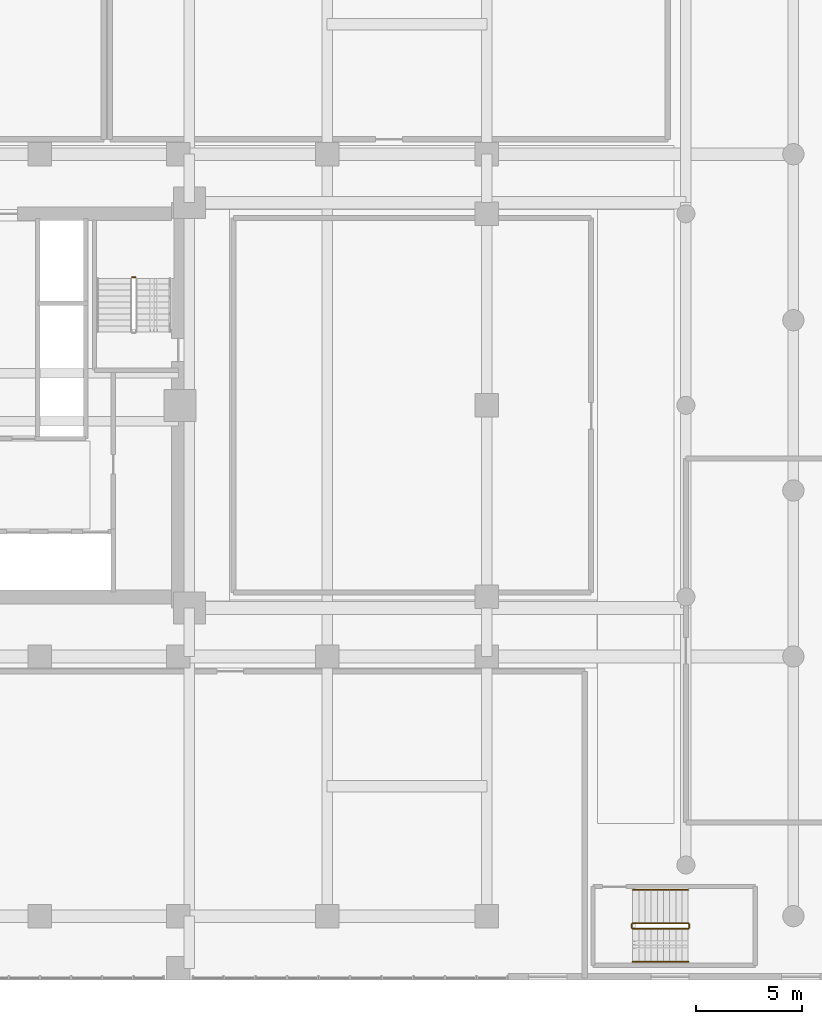
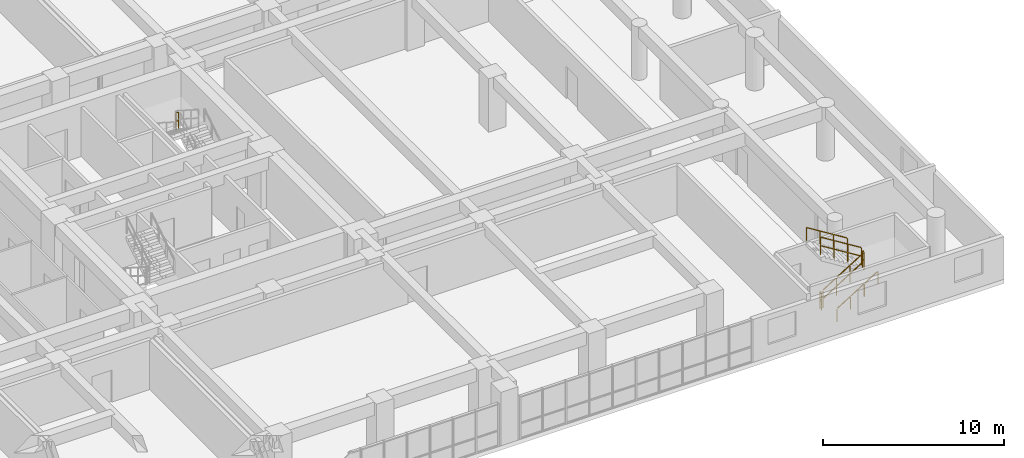
# One storey, part 29 of 30: 7 railings.
"""IFC4 building model written with IfcOpenShell, lengths in metres."""

from ifc_helpers import new_model, si_unit, direction, frame, origin, origin_2d, place, context, subcontext, project, spatial, rectangle, extrude, material, type_object, element, save


model = new_model("IFC4")

# Units and contexts
model_context = context("Model", 3, precision=1e-05, world=origin(), true_north=direction((0.0, 1.0)))
body_context = subcontext(model_context, "Body", "Model", "MODEL_VIEW")
ifc_project = project(units=[si_unit("LENGTHUNIT", "METRE"), si_unit("AREAUNIT", "SQUARE_METRE"), si_unit("VOLUMEUNIT", "CUBIC_METRE"), si_unit("PLANEANGLEUNIT", "RADIAN"), si_unit("MASSUNIT", "GRAM", prefix="KILO")], contexts=[model_context])

# Site, building, storey
site_placement = place(None, origin())
site = spatial("IfcSite", under=ifc_project, at=site_placement, CompositionType="ELEMENT")
building_placement = place(site_placement, origin())
building = spatial("IfcBuilding", under=site, at=building_placement, Name="Saelheon Loggia Tower", CompositionType="ELEMENT")
storey_placement = place(building_placement, frame((0.0, 0.0, 7.800048828125)))
storey = spatial("IfcBuildingStorey", under=building, at=storey_placement, Name="L02", CompositionType="ELEMENT", Elevation=7.800048828125)

# Railings
ifc_material_1 = material(Name="Galvanised Steel S275 Stairwell Guardrail", Category="steel")
railing_type_1 = type_object("IfcRailingType", Name="Guard_StairWell_RL_STG", PredefinedType="GUARDRAIL", material=ifc_material_1)
railing_1_placement = place(storey_placement, frame((42.489990234375, 33.02001953125, 1.800048828125)))
element("IfcRailing", 1, at=railing_1_placement, inside=storey, type_object=railing_type_1, Name="L02 ST2 stair guard 2", PredefinedType="GUARDRAIL", context=body_context, shape_type="SweptSolid", body=[
    extrude(rectangle(XDim=0.048095703125, YDim=0.048095703125, at=origin_2d()), frame((-0.033203125, 0.0, 1.17578125), z_axis=(-1.0, 0.0, 0.0), x_axis=(0.0, -1.0, 0.0)), (0.0, 0.0, 1.0), 0.093505859375),
    extrude(rectangle(XDim=0.048095703125, YDim=0.048095703125, at=origin_2d()), frame((-0.033203125, 0.0, 0.60009765625), z_axis=(-1.0, 0.0, 0.0), x_axis=(0.0, -1.0, 0.0)), (0.0, 0.0, 1.0), 0.093505859375),
    extrude(rectangle(XDim=0.0419921875, YDim=0.0419921875, at=origin_2d()), origin(), (0.0, 0.0, 1.0), 1.14794921875),
    extrude(rectangle(XDim=0.0419921875, YDim=0.0419921875, at=origin_2d()), frame((-0.159912109375, 0.0, 0.0)), (0.0, 0.0, 1.0), 1.14794921875),
])
railing_2_placement = place(storey_placement, frame((65.85009765625, 2.409912109375, 0.179931640625)))
element("IfcRailing", 2, at=railing_2_placement, inside=storey, type_object=railing_type_1, Name="L02 ST4 stair guard 1", PredefinedType="GUARDRAIL", context=body_context, shape_type="SweptSolid", body=[
    extrude(rectangle(XDim=0.048095703125, YDim=0.048095703125, at=origin_2d()), frame((0.0283203125, 0.0, 1.193359375), z_axis=(0.849610693518, 0.0, 0.52741034258), x_axis=(0.0, 1.0, 0.0)), (0.0, 0.0, 1.0), 0.95751953125),
    extrude(rectangle(XDim=0.048095703125, YDim=0.048095703125, at=origin_2d()), frame((0.0283203125, 0.0, 0.617431640625), z_axis=(0.849610693518, 0.0, 0.52741034258), x_axis=(0.0, 1.0, 0.0)), (0.0, 0.0, 1.0), 0.95751953125),
    extrude(rectangle(XDim=0.048095703125, YDim=0.048095703125, at=origin_2d()), frame((0.898193359375, 0.0, 1.7333984375), z_axis=(0.849610693518, 0.0, 0.52741034258), x_axis=(0.0, 1.0, 0.0)), (0.0, 0.0, 1.0), 0.95751953125),
    extrude(rectangle(XDim=0.048095703125, YDim=0.048095703125, at=origin_2d()), frame((0.898193359375, 0.0, 1.157470703125), z_axis=(0.849610693518, 0.0, 0.52741034258), x_axis=(0.0, 1.0, 0.0)), (0.0, 0.0, 1.0), 0.95751953125),
    extrude(rectangle(XDim=0.048095703125, YDim=0.048095703125, at=origin_2d()), frame((1.76806640625, 0.0, 2.2734375), z_axis=(0.849610693518, 0.0, 0.52741034258), x_axis=(0.0, 1.0, 0.0)), (0.0, 0.0, 1.0), 0.95751953125),
    extrude(rectangle(XDim=0.048095703125, YDim=0.048095703125, at=origin_2d()), frame((1.76806640625, 0.0, 1.697509765625), z_axis=(0.849610693518, 0.0, 0.52741034258), x_axis=(0.0, 1.0, 0.0)), (0.0, 0.0, 1.0), 0.95751953125),
    extrude(rectangle(XDim=0.0419921875, YDim=0.0419921875, at=origin_2d()), origin(), (0.0, 0.0, 1.0), 1.14794921875),
    extrude(rectangle(XDim=0.0419921875, YDim=0.0419921875, at=origin_2d()), frame((0.869873046875, 0.0, 0.5400390625)), (0.0, 0.0, 1.0), 1.14794921875),
    extrude(rectangle(XDim=0.0419921875, YDim=0.0419921875, at=origin_2d()), frame((1.739990234375, 0.0, 1.080078125)), (0.0, 0.0, 1.0), 1.14794921875),
    extrude(rectangle(XDim=0.0419921875, YDim=0.0419921875, at=origin_2d()), frame((2.60986328125, 0.0, 1.6201171875)), (0.0, 0.0, 1.0), 1.14794921875),
])
railing_3_placement = place(storey_placement, frame((68.510009765625, 2.4599609375, 1.800048828125)))
element("IfcRailing", 3, at=railing_3_placement, inside=storey, type_object=railing_type_1, Name="L02 ST4 stair guard 2", PredefinedType="GUARDRAIL", context=body_context, shape_type="SweptSolid", body=[
    extrude(rectangle(XDim=0.048095703125, YDim=0.048095703125, at=origin_2d()), frame((0.0, 0.033203125, 1.17578125), z_axis=(0.0, 1.0, 0.0), x_axis=(-1.0, 0.0, 0.0)), (0.0, 0.0, 1.0), 0.09375),
    extrude(rectangle(XDim=0.048095703125, YDim=0.048095703125, at=origin_2d()), frame((0.0, 0.033203125, 0.60009765625), z_axis=(0.0, 1.0, 0.0), x_axis=(-1.0, 0.0, 0.0)), (0.0, 0.0, 1.0), 0.09375),
    extrude(rectangle(XDim=0.0419921875, YDim=0.0419921875, at=origin_2d()), origin(), (0.0, 0.0, 1.0), 1.14794921875),
    extrude(rectangle(XDim=0.0419921875, YDim=0.0419921875, at=origin_2d()), frame((0.0, 0.16015625, 0.0)), (0.0, 0.0, 1.0), 1.14794921875),
])
railing_4_placement = place(storey_placement, frame((68.4599609375, 2.669921875, 1.97998046875)))
element("IfcRailing", 4, at=railing_4_placement, inside=storey, type_object=railing_type_1, Name="L02 ST4 stair guard 3", PredefinedType="GUARDRAIL", context=body_context, shape_type="SweptSolid", body=[
    extrude(rectangle(XDim=0.048095703125, YDim=0.048095703125, at=origin_2d()), frame((-0.0283203125, 0.0, 1.193359375), z_axis=(-0.849646306263, 0.0, 0.527352969322), x_axis=(0.0, -1.0, 0.0)), (0.0, 0.0, 1.0), 0.95751953125),
    extrude(rectangle(XDim=0.048095703125, YDim=0.048095703125, at=origin_2d()), frame((-0.0283203125, 0.0, 0.617431640625), z_axis=(-0.849646306263, 0.0, 0.527352969322), x_axis=(0.0, -1.0, 0.0)), (0.0, 0.0, 1.0), 0.95751953125),
    extrude(rectangle(XDim=0.048095703125, YDim=0.048095703125, at=origin_2d()), frame((-0.898193359375, 0.0, 1.7333984375), z_axis=(-0.849646306263, 0.0, 0.527352969322), x_axis=(0.0, -1.0, 0.0)), (0.0, 0.0, 1.0), 0.95751953125),
    extrude(rectangle(XDim=0.048095703125, YDim=0.048095703125, at=origin_2d()), frame((-0.898193359375, 0.0, 1.157470703125), z_axis=(-0.849646306263, 0.0, 0.527352969322), x_axis=(0.0, -1.0, 0.0)), (0.0, 0.0, 1.0), 0.95751953125),
    extrude(rectangle(XDim=0.048095703125, YDim=0.048095703125, at=origin_2d()), frame((-1.76806640625, 0.0, 2.2734375), z_axis=(-0.849646306263, 0.0, 0.527352969322), x_axis=(0.0, -1.0, 0.0)), (0.0, 0.0, 1.0), 0.95751953125),
    extrude(rectangle(XDim=0.048095703125, YDim=0.048095703125, at=origin_2d()), frame((-1.76806640625, 0.0, 1.697509765625), z_axis=(-0.849646306263, 0.0, 0.527352969322), x_axis=(0.0, -1.0, 0.0)), (0.0, 0.0, 1.0), 0.95751953125),
    extrude(rectangle(XDim=0.0419921875, YDim=0.0419921875, at=origin_2d()), origin(), (0.0, 0.0, 1.0), 1.14794921875),
    extrude(rectangle(XDim=0.0419921875, YDim=0.0419921875, at=origin_2d()), frame((-0.869873046875, 0.0, 0.5400390625)), (0.0, 0.0, 1.0), 1.14794921875),
    extrude(rectangle(XDim=0.0419921875, YDim=0.0419921875, at=origin_2d()), frame((-1.739990234375, 0.0, 1.079833984375)), (0.0, 0.0, 1.0), 1.14794921875),
    extrude(rectangle(XDim=0.0419921875, YDim=0.0419921875, at=origin_2d()), frame((-2.60986328125, 0.0, 1.619873046875)), (0.0, 0.0, 1.0), 1.14794921875),
])
railing_5_placement = place(storey_placement, frame((65.800048828125, 2.4599609375, 0.0)))
element("IfcRailing", 5, at=railing_5_placement, inside=storey, type_object=railing_type_1, Name="L02 ST4 stair guard 4", PredefinedType="GUARDRAIL", context=body_context, shape_type="SweptSolid", body=[
    extrude(rectangle(XDim=0.048095703125, YDim=0.048095703125, at=origin_2d()), frame((0.0, 0.033203125, 1.17578125), z_axis=(0.0, 1.0, 0.0), x_axis=(-1.0, 0.0, 0.0)), (0.0, 0.0, 1.0), 0.09375),
    extrude(rectangle(XDim=0.048095703125, YDim=0.048095703125, at=origin_2d()), frame((0.0, 0.033203125, 0.60009765625), z_axis=(0.0, 1.0, 0.0), x_axis=(-1.0, 0.0, 0.0)), (0.0, 0.0, 1.0), 0.09375),
    extrude(rectangle(XDim=0.0419921875, YDim=0.0419921875, at=origin_2d()), origin(), (0.0, 0.0, 1.0), 1.14794921875),
    extrude(rectangle(XDim=0.0419921875, YDim=0.0419921875, at=origin_2d()), frame((0.0, 0.16015625, 0.0)), (0.0, 0.0, 1.0), 1.14794921875),
])
ifc_material_2 = material(Name="Stainless Steel 304 Tubular Handrail", Category="steel")
railing_type_2 = type_object("IfcRailingType", Name="Handrail_Stair_RL_HR1", PredefinedType="HANDRAIL", material=ifc_material_2)
railing_6_placement = place(storey_placement, frame((65.85009765625, 0.85009765625, 0.179931640625)))
element("IfcRailing", 6, at=railing_6_placement, inside=storey, type_object=railing_type_2, Name="L02 ST4 stair handrail 1", PredefinedType="HANDRAIL", context=body_context, shape_type="SweptSolid", body=[
    extrude(rectangle(XDim=0.048095703125, YDim=0.048095703125, at=origin_2d()), frame((0.0283203125, 0.0, 0.893310546875), z_axis=(0.849610693518, 0.0, 0.52741034258), x_axis=(0.0, 1.0, 0.0)), (0.0, 0.0, 1.0), 0.95751953125),
    extrude(rectangle(XDim=0.048095703125, YDim=0.048095703125, at=origin_2d()), frame((0.898193359375, 0.0, 1.433349609375), z_axis=(0.849610693518, 0.0, 0.52741034258), x_axis=(0.0, 1.0, 0.0)), (0.0, 0.0, 1.0), 0.95751953125),
    extrude(rectangle(XDim=0.048095703125, YDim=0.048095703125, at=origin_2d()), frame((1.76806640625, 0.0, 1.973388671875), z_axis=(0.849610693518, 0.0, 0.52741034258), x_axis=(0.0, 1.0, 0.0)), (0.0, 0.0, 1.0), 0.95751953125),
    extrude(rectangle(XDim=0.0419921875, YDim=0.0419921875, at=origin_2d()), origin(), (0.0, 0.0, 1.0), 0.847900390625),
    extrude(rectangle(XDim=0.0419921875, YDim=0.0419921875, at=origin_2d()), frame((0.869873046875, 0.0, 0.5400390625)), (0.0, 0.0, 1.0), 0.847900390625),
    extrude(rectangle(XDim=0.0419921875, YDim=0.0419921875, at=origin_2d()), frame((1.739990234375, 0.0, 1.080078125)), (0.0, 0.0, 1.0), 0.847900390625),
    extrude(rectangle(XDim=0.0419921875, YDim=0.0419921875, at=origin_2d()), frame((2.60986328125, 0.0, 1.6201171875)), (0.0, 0.0, 1.0), 0.847900390625),
])
railing_7_placement = place(storey_placement, frame((68.4599609375, 4.22998046875, 1.97998046875)))
element("IfcRailing", 7, at=railing_7_placement, inside=storey, type_object=railing_type_2, Name="L02 ST4 stair handrail 2", PredefinedType="HANDRAIL", context=body_context, shape_type="SweptSolid", body=[
    extrude(rectangle(XDim=0.048095703125, YDim=0.048095703125, at=origin_2d()), frame((-0.0283203125, 0.0, 0.893310546875), z_axis=(-0.849646306263, 0.0, 0.527352969322), x_axis=(0.0, -1.0, 0.0)), (0.0, 0.0, 1.0), 0.95751953125),
    extrude(rectangle(XDim=0.048095703125, YDim=0.048095703125, at=origin_2d()), frame((-0.898193359375, 0.0, 1.433349609375), z_axis=(-0.849646306263, 0.0, 0.527352969322), x_axis=(0.0, -1.0, 0.0)), (0.0, 0.0, 1.0), 0.95751953125),
    extrude(rectangle(XDim=0.048095703125, YDim=0.048095703125, at=origin_2d()), frame((-1.76806640625, 0.0, 1.973388671875), z_axis=(-0.849646306263, 0.0, 0.527352969322), x_axis=(0.0, -1.0, 0.0)), (0.0, 0.0, 1.0), 0.95751953125),
    extrude(rectangle(XDim=0.0419921875, YDim=0.0419921875, at=origin_2d()), origin(), (0.0, 0.0, 1.0), 0.847900390625),
    extrude(rectangle(XDim=0.0419921875, YDim=0.0419921875, at=origin_2d()), frame((-0.869873046875, 0.0, 0.5400390625)), (0.0, 0.0, 1.0), 0.847900390625),
    extrude(rectangle(XDim=0.0419921875, YDim=0.0419921875, at=origin_2d()), frame((-1.739990234375, 0.0, 1.079833984375)), (0.0, 0.0, 1.0), 0.847900390625),
    extrude(rectangle(XDim=0.0419921875, YDim=0.0419921875, at=origin_2d()), frame((-2.60986328125, 0.0, 1.619873046875)), (0.0, 0.0, 1.0), 0.847900390625),
])

save(model, "model.ifc")
